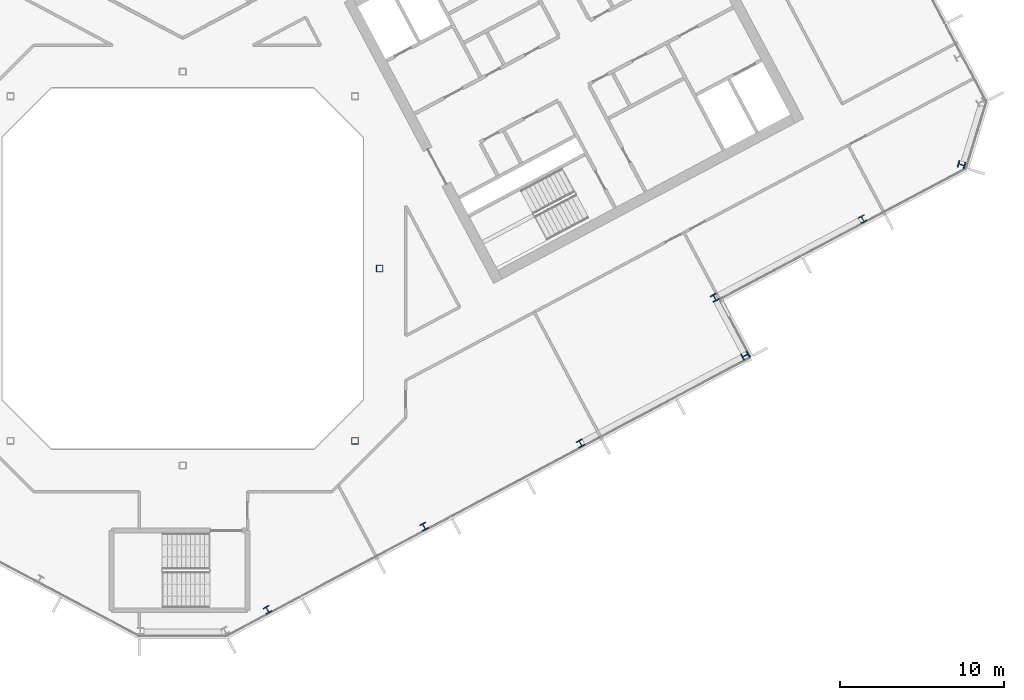
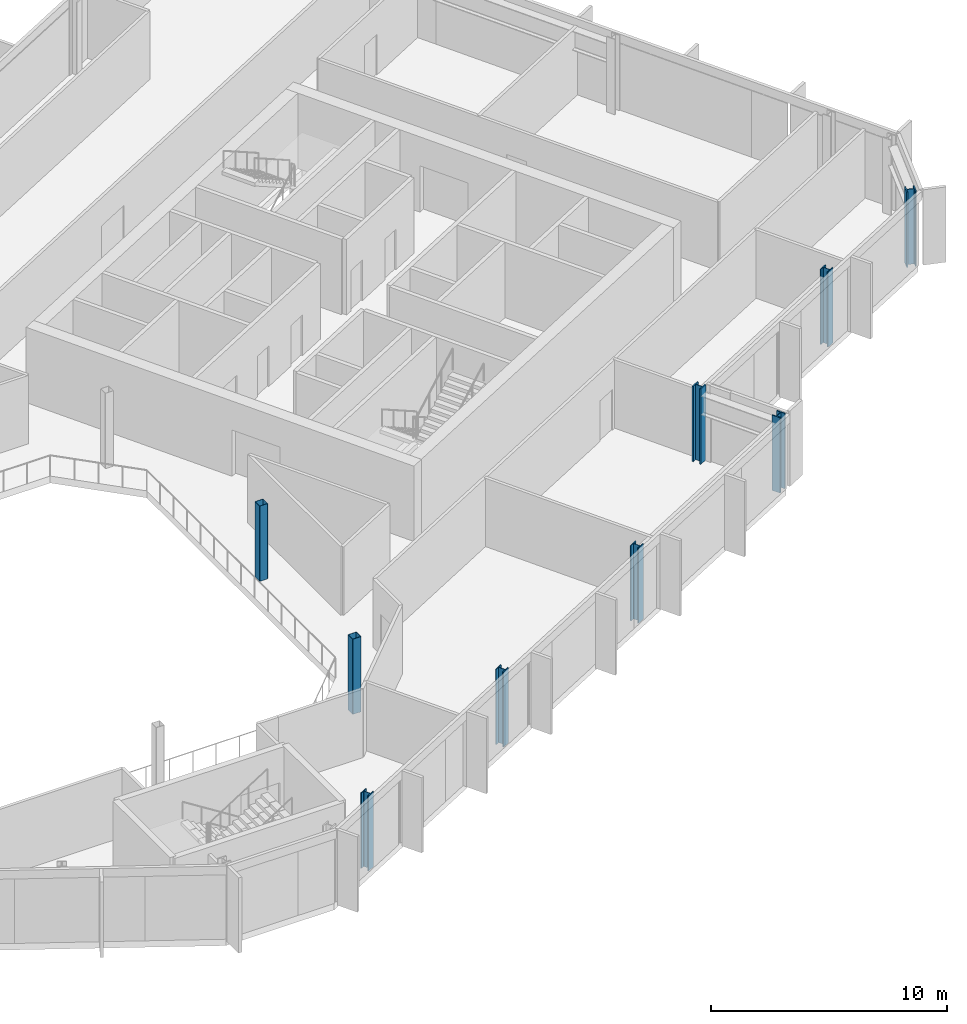
# One storey, part 5 of 26: 9 columns.
"""IFC4 building model written with IfcOpenShell, lengths in metres."""

from ifc_helpers import new_model, si_unit, direction, frame, origin, origin_2d, place, context, subcontext, project, spatial, hollow_rectangle, i_section, extrude, material, material_profile, profile_set, type_object, element, save


model = new_model("IFC4")

# Units and contexts
model_context = context("Model", 3, precision=1e-05, world=origin(), true_north=direction((0.0, 1.0)))
body_context = subcontext(model_context, "Body", "Model", "MODEL_VIEW")
ifc_project = project(units=[si_unit("LENGTHUNIT", "METRE"), si_unit("AREAUNIT", "SQUARE_METRE"), si_unit("VOLUMEUNIT", "CUBIC_METRE"), si_unit("PLANEANGLEUNIT", "RADIAN"), si_unit("MASSUNIT", "GRAM", prefix="KILO")], contexts=[model_context])

# Site, building, storey
site_placement = place(None, origin())
site = spatial("IfcSite", under=ifc_project, at=site_placement, CompositionType="ELEMENT")
building_placement = place(site_placement, origin())
building = spatial("IfcBuilding", under=site, at=building_placement, Name="Cormorant Relay Tower", CompositionType="ELEMENT")
storey_placement = place(building_placement, frame((0.0, 0.0, 236.39990234375)))
storey = spatial("IfcBuildingStorey", under=building, at=storey_placement, Name="L52", CompositionType="ELEMENT", Elevation=236.39990234375)

# Columns
ifc_material_1 = material(Name="Steel ASTM A500 Grade C (Fy 345 MPa)", Category="steel")
ifc_material_profile_1 = material_profile(ifc_material_1, hollow_rectangle(XDim=0.406494140625, YDim=0.406494140625, WallThickness=0.0146484375, InnerFilletRadius=0.00732421875, OuterFilletRadius=0.022216796875, at=origin_2d()), Name="HSS406x406x15")
ifc_profile_set_1 = profile_set([ifc_material_profile_1], Name="Steel ASTM A500 Grade C (Fy 345 MPa)")
column_type_1 = type_object("IfcColumnType", Name="Column HSS406x406x15", PredefinedType="COLUMN", material=ifc_profile_set_1)
for number, where, z_axis, x_axis, name in (
    (1, (10.5, -10.5, 0.0), (0.0, 0.0, 1.0), (1.0, 0.0, 0.0), "Column L52-010"),
    (2, (12.0, 0.0, 0.0), (0.0, 0.0, 1.0), (1.0, 0.0, 0.0), "Column L52-016"),
):
    element("IfcColumn", number, at=place(storey_placement, frame(where, z_axis=z_axis, x_axis=x_axis)), inside=storey, type_object=column_type_1, Name=name, PredefinedType="COLUMN", context=body_context, shape_type="SweptSolid", body=[
        extrude(hollow_rectangle(XDim=0.406494140625, YDim=0.406494140625, WallThickness=0.0146484375, InnerFilletRadius=0.00732421875, OuterFilletRadius=0.022216796875, at=origin_2d()), origin(), (0.0, 0.0, 1.0), 3.900146484375),
    ])
ifc_material_2 = material(Name="Steel ASTM A992 (Fy 345 MPa)", Category="steel")
ifc_material_profile_2 = material_profile(ifc_material_2, i_section(OverallWidth=0.40380859375, OverallDepth=0.406494140625, WebThickness=0.027099609375, FlangeThickness=0.043701171875, FilletRadius=0.01513671875, at=origin_2d()), Name="W360x347")
ifc_profile_set_2 = profile_set([ifc_material_profile_2], Name="Steel ASTM A992 (Fy 345 MPa)")
column_type_2 = type_object("IfcColumnType", Name="Column W360x347", PredefinedType="COLUMN", material=ifc_profile_set_2)
for number, where, z_axis, x_axis, name in (
    (3, (5.1689453125, -20.798095703125, 0.0), (0.0, 0.0, 1.0), (0.882947592859, 0.469471562786, 0.0), "Column L52-003"),
    (4, (14.705078125, -15.72705078125, 0.0), (0.0, 0.0, 1.0), (0.882947592859, 0.469471562786, 0.0), "Column L52-005"),
    (5, (24.240966796875, -10.656982421875, 0.0), (0.0, 0.0, 1.0), (0.882947592859, 0.469471562786, 0.0), "Column L52-008"),
    (6, (41.43408203125, 3.014892578125, 0.0), (0.0, 0.0, 1.0), (0.882947592859, 0.469471562786, 0.0), "Column L52-019"),
):
    element("IfcColumn", number, at=place(storey_placement, frame(where, z_axis=z_axis, x_axis=x_axis)), inside=storey, type_object=column_type_2, Name=name, PredefinedType="COLUMN", context=body_context, shape_type="SweptSolid", body=[
        extrude(i_section(OverallWidth=0.40380859375, OverallDepth=0.406494140625, WebThickness=0.027099609375, FlangeThickness=0.043701171875, FilletRadius=0.01513671875, at=origin_2d()), origin(), (0.0, 0.0, 1.0), 3.900146484375),
    ])
ifc_material_3 = material(Name="Steel ASTM A992 (Fy 345 MPa)", Category="steel")
ifc_material_profile_3 = material_profile(ifc_material_3, i_section(OverallWidth=0.41162109375, OverallDepth=0.434326171875, WebThickness=0.035888671875, FlangeThickness=0.057373046875, FilletRadius=0.01513671875, at=origin_2d()), Name="W360x463")
ifc_profile_set_3 = profile_set([ifc_material_profile_3], Name="Steel ASTM A992 (Fy 345 MPa)")
column_type_3 = type_object("IfcColumnType", Name="Column W360x463", PredefinedType="COLUMN", material=ifc_profile_set_3)
for number, where, z_axis, x_axis, name in (
    (7, (34.284912109375, -5.305908203125, 0.0), (0.0, 0.0, 1.0), (-0.469471562786, 0.882947592859, 0.0), "Column L52-012"),
    (8, (32.4169921875, -1.777099609375, 0.0), (0.0, 0.0, 1.0), (0.882947592859, 0.469471562786, 0.0), "Column L52-014"),
    (9, (47.458984375, 6.325927734375, 0.0), (0.0, 0.0, 1.0), (0.292371704723, 0.956304755963, 0.0), "Column L52-020"),
):
    element("IfcColumn", number, at=place(storey_placement, frame(where, z_axis=z_axis, x_axis=x_axis)), inside=storey, type_object=column_type_3, Name=name, PredefinedType="COLUMN", context=body_context, shape_type="SweptSolid", body=[
        extrude(i_section(OverallWidth=0.41162109375, OverallDepth=0.434326171875, WebThickness=0.035888671875, FlangeThickness=0.057373046875, FilletRadius=0.01513671875, at=origin_2d()), origin(), (0.0, 0.0, 1.0), 3.900146484375),
    ])

save(model, "model.ifc")
